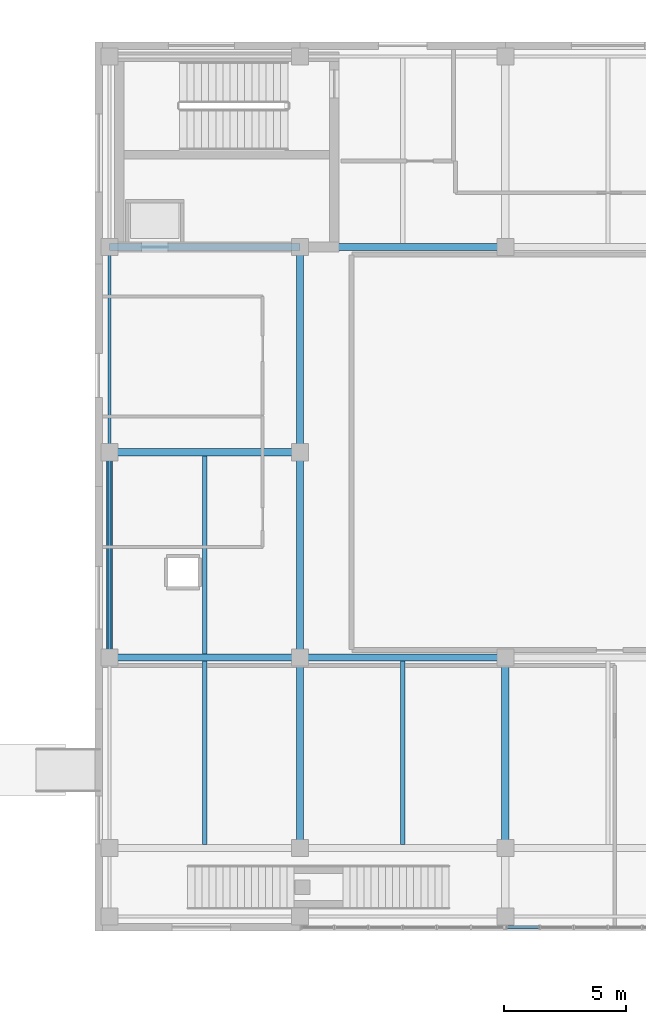
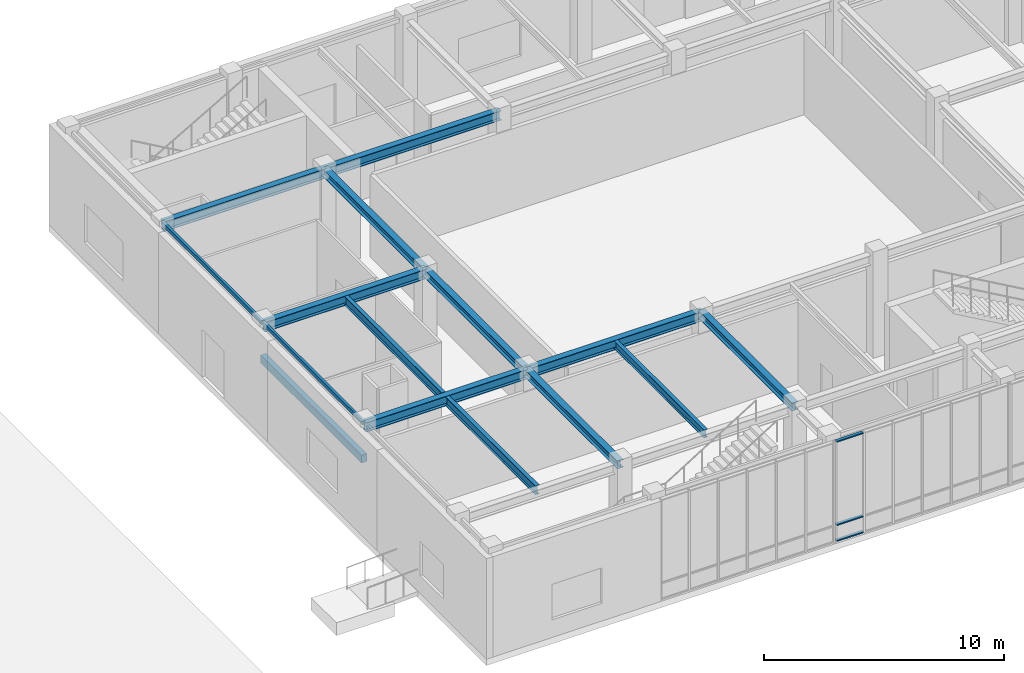
# One storey, part 69 of 122: 15 beams, 3 members, 1 element without a shape of its own.
"""IFC4 building model written with IfcOpenShell, lengths in metres."""

from ifc_helpers import new_model, si_unit, direction, frame, origin, origin_2d, place, context, subcontext, project, spatial, rectangle, hollow_rectangle, i_section, extrude, material, layer, layer_set, material_profile, profile_set, type_object, element, aggregate, save


model = new_model("IFC4")

# Units and contexts
model_context = context("Model", 3, precision=1e-05, world=origin(), true_north=direction((0.0, 1.0)))
body_context = subcontext(model_context, "Body", "Model", "MODEL_VIEW")
ifc_project = project(units=[si_unit("LENGTHUNIT", "METRE"), si_unit("AREAUNIT", "SQUARE_METRE"), si_unit("VOLUMEUNIT", "CUBIC_METRE"), si_unit("PLANEANGLEUNIT", "RADIAN"), si_unit("MASSUNIT", "GRAM", prefix="KILO")], contexts=[model_context])

# Site, building, storey
site_placement = place(None, origin())
site = spatial("IfcSite", under=ifc_project, at=site_placement, CompositionType="ELEMENT")
building_placement = place(site_placement, origin())
building = spatial("IfcBuilding", under=site, at=building_placement, Name="Zayran Congress Hotel", CompositionType="ELEMENT")
storey_placement = place(building_placement, origin())
storey = spatial("IfcBuildingStorey", under=building, at=storey_placement, Name="L00", CompositionType="ELEMENT", Elevation=0.0)

# Beams
ifc_material_1 = material(Name="Concrete C40/50", Category="concrete")
ifc_material_profile_1 = material_profile(ifc_material_1, rectangle(XDim=0.25, YDim=0.39990234375, at=origin_2d()), Name="RC 250x400")
ifc_profile_set_1 = profile_set([ifc_material_profile_1], Name="Concrete C40/50")
beam_type_1 = type_object("IfcBeamType", Name="TP-LN-01", PredefinedType="LINTEL", material=ifc_profile_set_1)
beam_1_placement = place(storey_placement, frame((151.800048828125, 17.199951171875, 3.199951171875), z_axis=(0.0, 1.0, 0.0), x_axis=(-1.0, 0.0, 0.0)))
element("IfcBeam", 1, at=beam_1_placement, inside=storey, type_object=beam_type_1, Name="BM-LIN-11", PredefinedType="LINTEL", context=body_context, shape_type="SweptSolid", body=[
    extrude(rectangle(XDim=0.25, YDim=0.39990234375, at=origin_2d()), origin(), (0.0, 0.0, 1.0), 8.400146484375),
])
ifc_material_2 = material(Name="Steel S355", Category="steel")
ifc_material_profile_2 = material_profile(ifc_material_2, i_section(OverallWidth=0.300048828125, OverallDepth=0.489990234375, WebThickness=0.011962890625, FlangeThickness=0.02294921875, at=origin_2d()), Name="HEA 500")
ifc_profile_set_2 = profile_set([ifc_material_profile_2], Name="Steel S355")
beam_type_2 = type_object("IfcBeamType", Name="TP-BM-05", PredefinedType="BEAM", material=ifc_profile_set_2)
beam_2_placement = place(storey_placement, frame((151.800048828125, 17.199951171875, 4.85498046875), z_axis=(1.0, 0.0, 0.0), x_axis=(0.0, 1.0, 0.0)))
element("IfcBeam", 2, at=beam_2_placement, inside=storey, type_object=beam_type_2, Name="BM-V3-L00-1059", PredefinedType="BEAM", context=body_context, shape_type="SweptSolid", body=[
    extrude(i_section(OverallWidth=0.300048828125, OverallDepth=0.489990234375, WebThickness=0.011962890625, FlangeThickness=0.02294921875, at=origin_2d()), origin(), (0.0, 0.0, 1.0), 7.800048828125),
])
beam_3_placement = place(storey_placement, frame((159.60009765625, 17.199951171875, 4.85498046875), z_axis=(1.0, 0.0, 0.0), x_axis=(0.0, 1.0, 0.0)))
element("IfcBeam", 3, at=beam_3_placement, inside=storey, type_object=beam_type_2, Name="BM-V3-L00-1060", PredefinedType="BEAM", context=body_context, shape_type="SweptSolid", body=[
    extrude(i_section(OverallWidth=0.300048828125, OverallDepth=0.489990234375, WebThickness=0.011962890625, FlangeThickness=0.02294921875, at=origin_2d()), origin(), (0.0, 0.0, 1.0), 8.39990234375),
])
for number, where, z_axis, x_axis, name in (
    (4, (151.800048828125, 25.60009765625, 4.85498046875), (1.0, 0.0, 0.0), (0.0, 1.0, 0.0), "BM-V3-L00-1064"),
    (5, (151.800048828125, 34.0, 4.85498046875), (1.0, 0.0, 0.0), (0.0, 1.0, 0.0), "BM-V3-L00-1066"),
):
    element("IfcBeam", number, at=place(storey_placement, frame(where, z_axis=z_axis, x_axis=x_axis)), inside=storey, type_object=beam_type_2, Name=name, PredefinedType="BEAM", context=body_context, shape_type="SweptSolid", body=[
        extrude(i_section(OverallWidth=0.300048828125, OverallDepth=0.489990234375, WebThickness=0.011962890625, FlangeThickness=0.02294921875, at=origin_2d()), origin(), (0.0, 0.0, 1.0), 7.800048828125),
    ])
beam_4_placement = place(storey_placement, frame((159.60009765625, 34.0, 4.85498046875), z_axis=(1.0, 0.0, 0.0), x_axis=(0.0, 1.0, 0.0)))
element("IfcBeam", 6, at=beam_4_placement, inside=storey, type_object=beam_type_2, Name="BM-V3-L00-1067", PredefinedType="BEAM", context=body_context, shape_type="SweptSolid", body=[
    extrude(i_section(OverallWidth=0.300048828125, OverallDepth=0.489990234375, WebThickness=0.011962890625, FlangeThickness=0.02294921875, at=origin_2d()), origin(), (0.0, 0.0, 1.0), 8.39990234375),
])
ifc_material_profile_3 = material_profile(ifc_material_2, i_section(OverallWidth=0.300048828125, OverallDepth=0.389892578125, WebThickness=0.010986328125, FlangeThickness=0.01904296875, at=origin_2d()), Name="HEA 400")
ifc_profile_set_3 = profile_set([ifc_material_profile_3], Name="Steel S355")
beam_type_3 = type_object("IfcBeamType", Name="TP-BM-06", PredefinedType="BEAM", material=ifc_profile_set_3)
beam_5_placement = place(storey_placement, frame((159.60009765625, 9.39990234375, 4.905029296875), z_axis=(0.0, 1.0, 0.0), x_axis=(-1.0, 0.0, 0.0)))
element("IfcBeam", 7, at=beam_5_placement, inside=storey, type_object=beam_type_3, Name="BM-V3-L00-1081", PredefinedType="BEAM", context=body_context, shape_type="SweptSolid", body=[
    extrude(i_section(OverallWidth=0.300048828125, OverallDepth=0.389892578125, WebThickness=0.010986328125, FlangeThickness=0.01904296875, at=origin_2d()), origin(), (0.0, 0.0, 1.0), 7.800048828125),
])
beam_6_placement = place(storey_placement, frame((159.60009765625, 17.199951171875, 4.905029296875), z_axis=(0.0, 1.0, 0.0), x_axis=(-1.0, 0.0, 0.0)))
element("IfcBeam", 8, at=beam_6_placement, inside=storey, type_object=beam_type_3, Name="BM-V3-L00-1082", PredefinedType="BEAM", context=body_context, shape_type="SweptSolid", body=[
    extrude(i_section(OverallWidth=0.300048828125, OverallDepth=0.389892578125, WebThickness=0.010986328125, FlangeThickness=0.01904296875, at=origin_2d()), origin(), (0.0, 0.0, 1.0), 8.400146484375),
])
beam_7_placement = place(storey_placement, frame((159.60009765625, 25.60009765625, 4.905029296875), z_axis=(0.0, 1.0, 0.0), x_axis=(-1.0, 0.0, 0.0)))
element("IfcBeam", 9, at=beam_7_placement, inside=storey, type_object=beam_type_3, Name="BM-V3-L00-1083", PredefinedType="BEAM", context=body_context, shape_type="SweptSolid", body=[
    extrude(i_section(OverallWidth=0.300048828125, OverallDepth=0.389892578125, WebThickness=0.010986328125, FlangeThickness=0.01904296875, at=origin_2d()), origin(), (0.0, 0.0, 1.0), 8.39990234375),
])
beam_8_placement = place(storey_placement, frame((168.0, 9.39990234375, 4.905029296875), z_axis=(0.0, 1.0, 0.0), x_axis=(-1.0, 0.0, 0.0)))
element("IfcBeam", 10, at=beam_8_placement, inside=storey, type_object=beam_type_3, Name="BM-V3-L00-1085", PredefinedType="BEAM", context=body_context, shape_type="SweptSolid", body=[
    extrude(i_section(OverallWidth=0.300048828125, OverallDepth=0.389892578125, WebThickness=0.010986328125, FlangeThickness=0.01904296875, at=origin_2d()), origin(), (0.0, 0.0, 1.0), 7.800048828125),
])
ifc_material_profile_4 = material_profile(ifc_material_2, i_section(OverallWidth=0.18994140625, OverallDepth=0.449951171875, WebThickness=0.009521484375, FlangeThickness=0.0146484375, at=origin_2d()), Name="IPE 450")
ifc_profile_set_4 = profile_set([ifc_material_profile_4], Name="Steel S355")
beam_type_4 = type_object("IfcBeamType", Name="TP-JS-02", PredefinedType="JOIST", material=ifc_profile_set_4)
beam_9_placement = place(storey_placement, frame((155.699951171875, 9.550048828125, 4.875), z_axis=(0.0, 1.0, 0.0), x_axis=(-1.0, 0.0, 0.0)))
element("IfcBeam", 11, at=beam_9_placement, inside=storey, type_object=beam_type_4, Name="JST-V3-L00-1099", PredefinedType="JOIST", context=body_context, shape_type="SweptSolid", body=[
    extrude(i_section(OverallWidth=0.18994140625, OverallDepth=0.449951171875, WebThickness=0.009521484375, FlangeThickness=0.0146484375, at=origin_2d()), origin(), (0.0, 0.0, 1.0), 7.5),
])
beam_10_placement = place(storey_placement, frame((155.699951171875, 17.35009765625, 4.875), z_axis=(0.0, 1.0, 0.0), x_axis=(-1.0, 0.0, 0.0)))
element("IfcBeam", 12, at=beam_10_placement, inside=storey, type_object=beam_type_4, Name="JST-V3-L00-1100", PredefinedType="JOIST", context=body_context, shape_type="SweptSolid", body=[
    extrude(i_section(OverallWidth=0.18994140625, OverallDepth=0.449951171875, WebThickness=0.009521484375, FlangeThickness=0.0146484375, at=origin_2d()), origin(), (0.0, 0.0, 1.0), 8.099853515625),
])
ifc_material_profile_5 = material_profile(ifc_material_2, i_section(OverallWidth=0.179931640625, OverallDepth=0.39990234375, WebThickness=0.008544921875, FlangeThickness=0.013427734375, at=origin_2d()), Name="IPE 400")
ifc_profile_set_5 = profile_set([ifc_material_profile_5], Name="Steel S355")
beam_type_5 = type_object("IfcBeamType", Name="TP-JS-03", PredefinedType="JOIST", material=ifc_profile_set_5)
beam_11_placement = place(storey_placement, frame((163.800048828125, 9.550048828125, 4.89990234375), z_axis=(0.0, 1.0, 0.0), x_axis=(-1.0, 0.0, 0.0)))
element("IfcBeam", 13, at=beam_11_placement, inside=storey, type_object=beam_type_5, Name="JST-V3-L00-1102", PredefinedType="JOIST", context=body_context, shape_type="SweptSolid", body=[
    extrude(i_section(OverallWidth=0.179931640625, OverallDepth=0.39990234375, WebThickness=0.008544921875, FlangeThickness=0.013427734375, at=origin_2d()), origin(), (0.0, 0.0, 1.0), 7.5),
])
ifc_material_profile_6 = material_profile(ifc_material_2, hollow_rectangle(XDim=0.1201171875, YDim=0.199951171875, WallThickness=0.008056640625, at=origin_2d()), Name="RHS 200x120x8")
ifc_profile_set_6 = profile_set([ifc_material_profile_6], Name="Steel S355")
beam_type_6 = type_object("IfcBeamType", Name="TP-SP-02", PredefinedType="SPANDREL", material=ifc_profile_set_6)
beam_12_placement = place(storey_placement, frame((151.800048828125, 17.199951171875, 5.0), z_axis=(0.0, 1.0, 0.0), x_axis=(-1.0, 0.0, 0.0)))
element("IfcBeam", 14, at=beam_12_placement, inside=storey, type_object=beam_type_6, Name="BM-V3-L00-1078", PredefinedType="SPANDREL", context=body_context, shape_type="SweptSolid", body=[
    extrude(hollow_rectangle(XDim=0.1201171875, YDim=0.199951171875, WallThickness=0.008056640625, at=origin_2d()), origin(), (0.0, 0.0, 1.0), 8.400146484375),
])
beam_13_placement = place(storey_placement, frame((151.800048828125, 25.60009765625, 5.0), z_axis=(0.0, 1.0, 0.0), x_axis=(-1.0, 0.0, 0.0)))
element("IfcBeam", 15, at=beam_13_placement, inside=storey, type_object=beam_type_6, Name="BM-V3-L00-1079", PredefinedType="SPANDREL", context=body_context, shape_type="SweptSolid", body=[
    extrude(hollow_rectangle(XDim=0.1201171875, YDim=0.199951171875, WallThickness=0.008056640625, at=origin_2d()), origin(), (0.0, 0.0, 1.0), 8.39990234375),
])

# Curtain wall, members
ifc_material_3 = material(Name="Anodised aluminium and low-E insulated glass", Category="aluminium")
ifc_layer = layer(ifc_material_3, 0.179931640625)
ifc_layer_set = layer_set([ifc_layer], Name="Anodised aluminium and low-E insulated glass")
curtain_wall_type = type_object("IfcCurtainWallType", Name="CW-V3S-L00-CW-V31-8390-5100", PredefinedType="USERDEFINED", material=ifc_layer_set)
curtain_wall_placement = place(storey_placement, origin())
curtain_wall = element("IfcCurtainWall", 16, at=curtain_wall_placement, inside=storey, type_object=curtain_wall_type, Name="CW-V3S-L00-2", ObjectType="CURTAIN WALL", PredefinedType="USERDEFINED")
ifc_material_4 = material(Name="Anodised aluminium framing", Category="aluminium")
ifc_material_profile_7 = material_profile(ifc_material_4, hollow_rectangle(XDim=0.06005859375, YDim=0.14990234375, WallThickness=0.00390625, at=origin_2d()), Name="RHS 150x60x4")
ifc_profile_set_7 = profile_set([ifc_material_profile_7], Name="Anodised aluminium framing")
member_type = type_object("IfcMemberType", Name="TP-CWT-01", PredefinedType="USERDEFINED", material=ifc_profile_set_7)
member_1_placement = place(storey_placement, frame((168.0849609375, 6.159912109375, 0.030029296875), z_axis=(1.0, 0.0, 0.0), x_axis=(0.0, 0.0, 1.0)))
member_1 = element("IfcMember", 17, at=member_1_placement, type_object=member_type, Name="CW-V3S-L00-2-T00-0", ObjectType="TRANSOM", PredefinedType="USERDEFINED", context=body_context, shape_type="SweptSolid", body=[
    extrude(hollow_rectangle(XDim=0.06005859375, YDim=0.14990234375, WallThickness=0.00390625, at=origin_2d()), origin(), (0.0, 0.0, 1.0), 1.2783203125),
])
member_2_placement = place(storey_placement, frame((168.0849609375, 6.159912109375, 0.840087890625), z_axis=(1.0, 0.0, 0.0), x_axis=(0.0, 0.0, 1.0)))
member_2 = element("IfcMember", 18, at=member_2_placement, type_object=member_type, Name="CW-V3S-L00-2-T00-1", ObjectType="TRANSOM", PredefinedType="USERDEFINED", context=body_context, shape_type="SweptSolid", body=[
    extrude(hollow_rectangle(XDim=0.06005859375, YDim=0.14990234375, WallThickness=0.00390625, at=origin_2d()), origin(), (0.0, 0.0, 1.0), 1.2783203125),
])
member_3_placement = place(storey_placement, frame((168.0849609375, 6.159912109375, 5.070068359375), z_axis=(1.0, 0.0, 0.0), x_axis=(0.0, 0.0, 1.0)))
member_3 = element("IfcMember", 19, at=member_3_placement, type_object=member_type, Name="CW-V3S-L00-2-T00-2", ObjectType="TRANSOM", PredefinedType="USERDEFINED", context=body_context, shape_type="SweptSolid", body=[
    extrude(hollow_rectangle(XDim=0.06005859375, YDim=0.14990234375, WallThickness=0.00390625, at=origin_2d()), origin(), (0.0, 0.0, 1.0), 1.2783203125),
])
aggregate(curtain_wall, [member_1, member_2, member_3])

save(model, "model.ifc")
